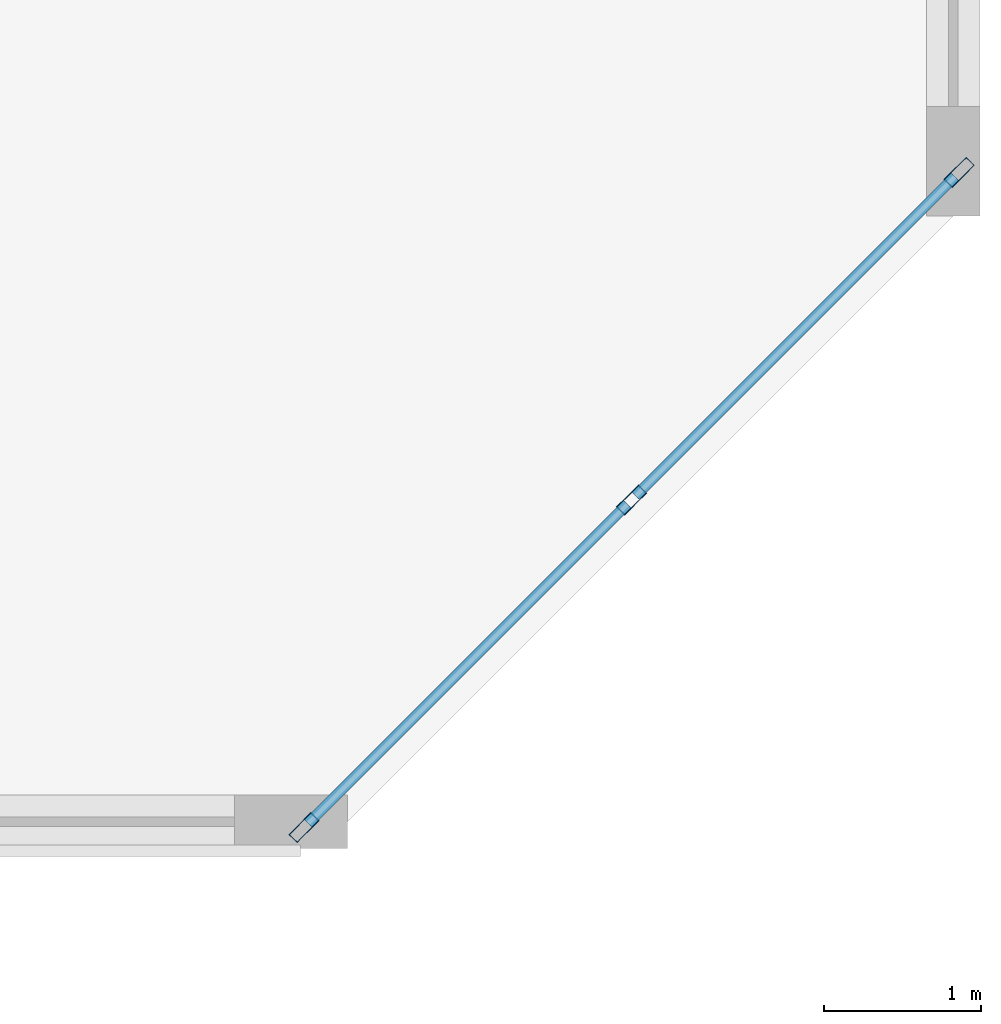
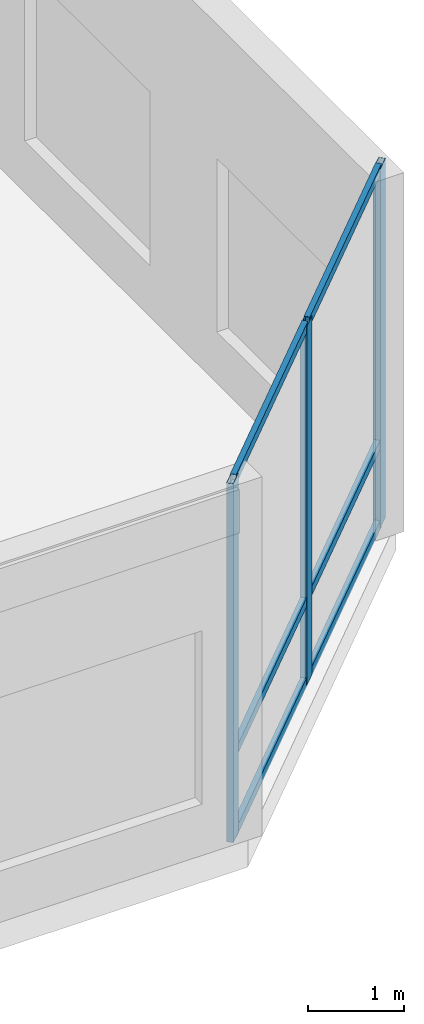
# One storey, part 6 of 17: 9 members, 1 element without a shape of its own.
"""IFC4 building model written with IfcOpenShell, lengths in metres."""

from ifc_helpers import new_model, si_unit, direction, frame, origin, origin_2d, place, context, subcontext, project, spatial, hollow_rectangle, extrude, material, layer, layer_set, material_profile, profile_set, type_object, element, aggregate, save


model = new_model("IFC4")

# Units and contexts
model_context = context("Model", 3, precision=1e-05, world=origin(), true_north=direction((0.0, 1.0)))
body_context = subcontext(model_context, "Body", "Model", "MODEL_VIEW")
ifc_project = project(units=[si_unit("LENGTHUNIT", "METRE"), si_unit("AREAUNIT", "SQUARE_METRE"), si_unit("VOLUMEUNIT", "CUBIC_METRE"), si_unit("PLANEANGLEUNIT", "RADIAN"), si_unit("MASSUNIT", "GRAM", prefix="KILO")], contexts=[model_context])

# Site, building, storey
site_placement = place(None, origin())
site = spatial("IfcSite", under=ifc_project, at=site_placement, CompositionType="ELEMENT")
building_placement = place(site_placement, origin())
building = spatial("IfcBuilding", under=site, at=building_placement, Name="Kestravale Grand Hotel", CompositionType="ELEMENT")
storey_placement = place(building_placement, frame((0.0, 0.0, 129.800048828125)))
storey = spatial("IfcBuildingStorey", under=building, at=storey_placement, Name="L32", CompositionType="ELEMENT", Elevation=129.800048828125)

# Curtain wall, members
ifc_material_1 = material(Name="Thermally broken champagne-bronze aluminium and low-E glazing", Category="aluminium")
ifc_layer = layer(ifc_material_1, 0.199951171875)
ifc_layer_set = layer_set([ifc_layer], Name="CW-Z2")
curtain_wall_type = type_object("IfcCurtainWallType", Name="CW-Z2", PredefinedType="NOTDEFINED", material=ifc_layer_set)
curtain_wall_placement = place(storey_placement, origin())
curtain_wall = element("IfcCurtainWall", 1, at=curtain_wall_placement, inside=storey, type_object=curtain_wall_type, Name="L32 unitised curtain wall 8", PredefinedType="NOTDEFINED")
ifc_material_2 = material(Name="Aluminium 6063-T6 anodised", Category="aluminium")
ifc_material_profile_1 = material_profile(ifc_material_2, hollow_rectangle(XDim=0.074951171875, YDim=0.199951171875, WallThickness=0.00390625, at=origin_2d()))
ifc_profile_set_1 = profile_set([ifc_material_profile_1], Name="Aluminium 6063-T6 anodised")
member_type_1 = type_object("IfcMemberType", Name="CW-MUL-200", PredefinedType="MULLION", material=ifc_profile_set_1)
member_1_placement = place(storey_placement, frame((69.692138671875, 9.9326171875, 0.0), z_axis=(0.0, 0.0, 1.0), x_axis=(-0.707106781187, 0.707106781187, 0.0)))
member_1 = element("IfcMember", 2, at=member_1_placement, type_object=member_type_1, Name="CW-Z2 mullion 1", PredefinedType="MULLION", context=body_context, shape_type="SweptSolid", body=[
    extrude(hollow_rectangle(XDim=0.074951171875, YDim=0.199951171875, WallThickness=0.00390625, at=origin_2d()), origin(), (0.0, 0.0, 1.0), 4.550048828125),
])
member_2_placement = place(storey_placement, frame((71.77978515625, 12.020263671875, 0.0), z_axis=(0.0, 0.0, 1.0), x_axis=(-0.707106781187, 0.707106781187, 0.0)))
member_2 = element("IfcMember", 3, at=member_2_placement, type_object=member_type_1, Name="CW-Z2 mullion 2", PredefinedType="MULLION", context=body_context, shape_type="SweptSolid", body=[
    extrude(hollow_rectangle(XDim=0.074951171875, YDim=0.199951171875, WallThickness=0.00390625, at=origin_2d()), origin(), (0.0, 0.0, 1.0), 4.550048828125),
])
member_3_placement = place(storey_placement, frame((73.867431640625, 14.10791015625, 0.0), z_axis=(0.0, 0.0, 1.0), x_axis=(-0.707106781187, 0.707106781187, 0.0)))
member_3 = element("IfcMember", 4, at=member_3_placement, type_object=member_type_1, Name="CW-Z2 mullion 3", PredefinedType="MULLION", context=body_context, shape_type="SweptSolid", body=[
    extrude(hollow_rectangle(XDim=0.074951171875, YDim=0.199951171875, WallThickness=0.00390625, at=origin_2d()), origin(), (0.0, 0.0, 1.0), 4.550048828125),
])
ifc_material_3 = material(Name="Aluminium 6063-T6 anodised", Category="aluminium")
ifc_material_profile_2 = material_profile(ifc_material_3, hollow_rectangle(XDim=0.06494140625, YDim=0.114990234375, WallThickness=0.003173828125, at=origin_2d()))
ifc_profile_set_2 = profile_set([ifc_material_profile_2], Name="Aluminium 6063-T6 anodised")
member_type_2 = type_object("IfcMemberType", Name="CW-TRN-115", PredefinedType="USERDEFINED", material=ifc_profile_set_2)
member_4_placement = place(storey_placement, frame((69.71875, 9.958984375, 0.032470703125), z_axis=(0.707064354356, 0.707149205472, 0.0), x_axis=(-0.707149205472, 0.707064354356, 0.0)))
member_4 = element("IfcMember", 5, at=member_4_placement, type_object=member_type_2, Name="CW-Z2 transom 1.1", ObjectType="TRANSOM", PredefinedType="USERDEFINED", context=body_context, shape_type="SweptSolid", body=[
    extrude(hollow_rectangle(XDim=0.06494140625, YDim=0.114990234375, WallThickness=0.003173828125, at=origin_2d()), origin(), (0.0, 0.0, 1.0), 2.877197265625),
])
member_5_placement = place(storey_placement, frame((69.71875, 9.958984375, 1.050048828125), z_axis=(0.707064354356, 0.707149205472, 0.0), x_axis=(-0.707149205472, 0.707064354356, 0.0)))
member_5 = element("IfcMember", 6, at=member_5_placement, type_object=member_type_2, Name="CW-Z2 transom 1.2", ObjectType="TRANSOM", PredefinedType="USERDEFINED", context=body_context, shape_type="SweptSolid", body=[
    extrude(hollow_rectangle(XDim=0.06494140625, YDim=0.114990234375, WallThickness=0.003173828125, at=origin_2d()), origin(), (0.0, 0.0, 1.0), 2.877197265625),
])
member_6_placement = place(storey_placement, frame((69.71875, 9.958984375, 4.517333984375), z_axis=(0.707064354356, 0.707149205472, 0.0), x_axis=(-0.707149205472, 0.707064354356, 0.0)))
member_6 = element("IfcMember", 7, at=member_6_placement, type_object=member_type_2, Name="CW-Z2 transom 1.3", ObjectType="TRANSOM", PredefinedType="USERDEFINED", context=body_context, shape_type="SweptSolid", body=[
    extrude(hollow_rectangle(XDim=0.06494140625, YDim=0.114990234375, WallThickness=0.003173828125, at=origin_2d()), origin(), (0.0, 0.0, 1.0), 2.877197265625),
])
member_7_placement = place(storey_placement, frame((71.806396484375, 12.046630859375, 0.032470703125), z_axis=(0.707106781187, 0.707106781187, 0.0), x_axis=(-0.707106781187, 0.707106781187, 0.0)))
member_7 = element("IfcMember", 8, at=member_7_placement, type_object=member_type_2, Name="CW-Z2 transom 2.1", ObjectType="TRANSOM", PredefinedType="USERDEFINED", context=body_context, shape_type="SweptSolid", body=[
    extrude(hollow_rectangle(XDim=0.06494140625, YDim=0.114990234375, WallThickness=0.003173828125, at=origin_2d()), origin(), (0.0, 0.0, 1.0), 2.87744140625),
])
member_8_placement = place(storey_placement, frame((71.806396484375, 12.046630859375, 1.050048828125), z_axis=(0.707106781187, 0.707106781187, 0.0), x_axis=(-0.707106781187, 0.707106781187, 0.0)))
member_8 = element("IfcMember", 9, at=member_8_placement, type_object=member_type_2, Name="CW-Z2 transom 2.2", ObjectType="TRANSOM", PredefinedType="USERDEFINED", context=body_context, shape_type="SweptSolid", body=[
    extrude(hollow_rectangle(XDim=0.06494140625, YDim=0.114990234375, WallThickness=0.003173828125, at=origin_2d()), origin(), (0.0, 0.0, 1.0), 2.87744140625),
])
member_9_placement = place(storey_placement, frame((71.806396484375, 12.046630859375, 4.517333984375), z_axis=(0.707106781187, 0.707106781187, 0.0), x_axis=(-0.707106781187, 0.707106781187, 0.0)))
member_9 = element("IfcMember", 10, at=member_9_placement, type_object=member_type_2, Name="CW-Z2 transom 2.3", ObjectType="TRANSOM", PredefinedType="USERDEFINED", context=body_context, shape_type="SweptSolid", body=[
    extrude(hollow_rectangle(XDim=0.06494140625, YDim=0.114990234375, WallThickness=0.003173828125, at=origin_2d()), origin(), (0.0, 0.0, 1.0), 2.87744140625),
])
aggregate(curtain_wall, [member_1, member_2, member_3, member_4, member_5, member_6, member_7, member_8, member_9])

save(model, "model.ifc")
